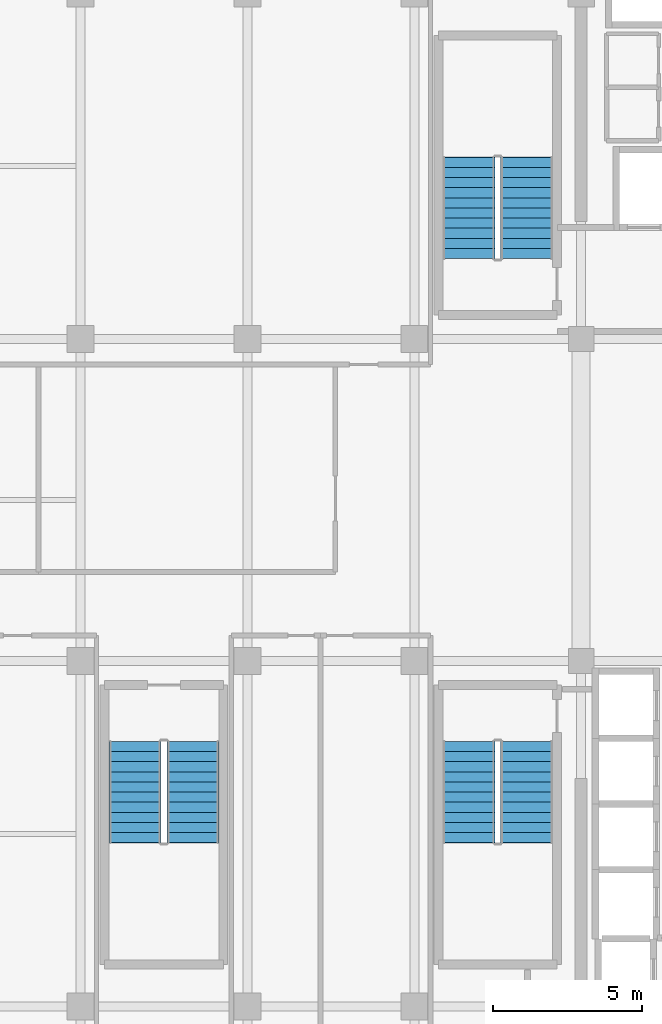
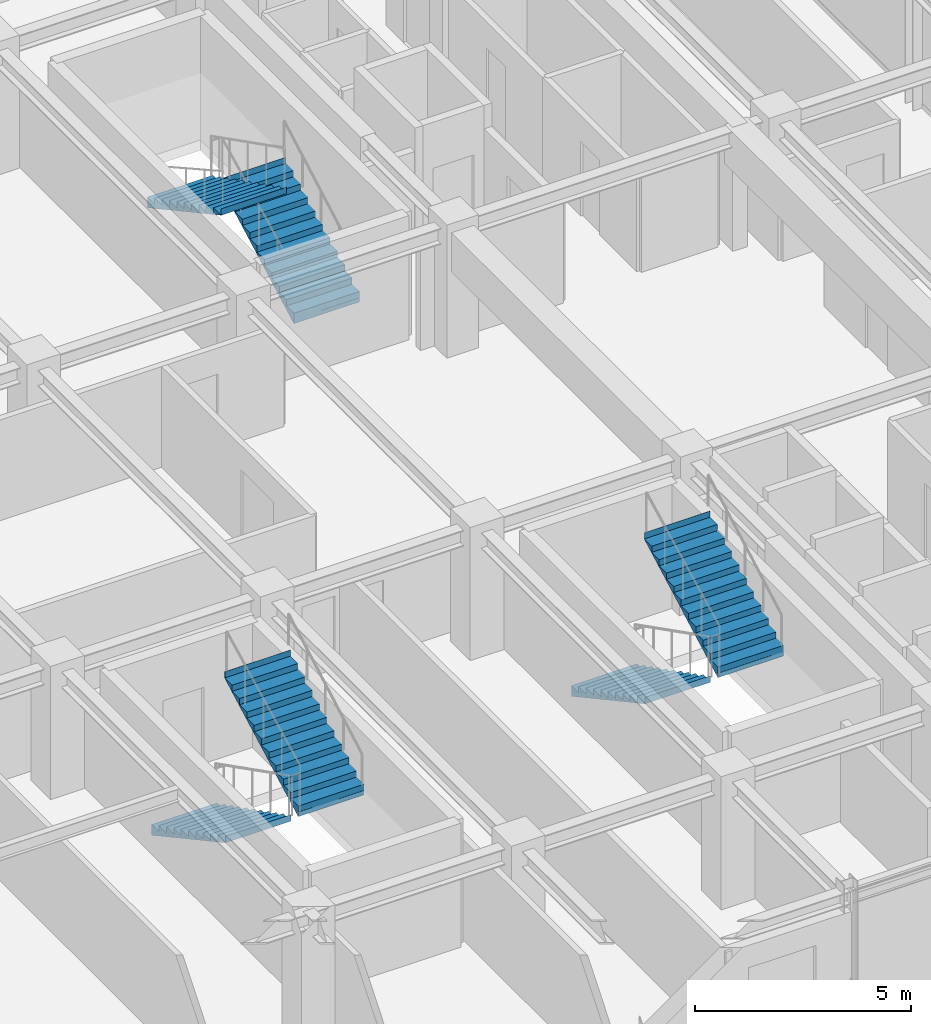
# One storey, part 28 of 31: 6 stair flights, 3 elements without a shape of their own.
"""IFC4 building model written with IfcOpenShell, lengths in metres."""

from ifc_helpers import new_model, si_unit, direction, frame, origin, place, context, subcontext, project, spatial, polyline, outline, extrude, source, transform, mapped, material, layer, layer_set, type_object, element, aggregate, save


model = new_model("IFC4")

# Units and contexts
model_context = context("Model", 3, precision=1e-05, world=origin(), true_north=direction((0.0, 1.0)))
body_context = subcontext(model_context, "Body", "Model", "MODEL_VIEW")
ifc_project = project(units=[si_unit("LENGTHUNIT", "METRE"), si_unit("AREAUNIT", "SQUARE_METRE"), si_unit("VOLUMEUNIT", "CUBIC_METRE"), si_unit("PLANEANGLEUNIT", "RADIAN"), si_unit("MASSUNIT", "GRAM", prefix="KILO")], contexts=[model_context])

# Site, building, storey
site_placement = place(None, origin())
site = spatial("IfcSite", under=ifc_project, at=site_placement, CompositionType="ELEMENT")
building_placement = place(site_placement, origin())
building = spatial("IfcBuilding", under=site, at=building_placement, Name="Nahalor Promenade Grand Hotel", CompositionType="ELEMENT")
storey_placement = place(building_placement, frame((0.0, 0.0, 323.35009765625)))
storey = spatial("IfcBuildingStorey", under=building, at=storey_placement, Name="L83", CompositionType="ELEMENT", Elevation=323.35009765625)

# Stair, stair flights
ifc_material = material(Name="Concrete B-50 (C40/50)", Category="concrete")
stair_type_1 = type_object("IfcStairType", Name="Stair-ST1", PredefinedType="HALF_TURN_STAIR", material=ifc_material)
stair_1_placement = place(storey_placement, origin())
stair_1 = element("IfcStair", 1, at=stair_1_placement, inside=storey, type_object=stair_type_1, Name="L83 ST1", PredefinedType="HALF_TURN_STAIR")
ifc_layer_1 = layer(ifc_material, 0.179931640625)
ifc_layer_set_1 = layer_set([ifc_layer_1], Name="Concrete B-50 (C40/50)")
stair_flight_type_1 = type_object("IfcStairFlightType", Name="Flight-ST1", PredefinedType="STRAIGHT", material=ifc_layer_set_1)
shared_shape_1 = source(origin(), body_context, "Body", "SweptSolid", [
    extrude(outline(polyline([(-0.00390625, -0.1201171875), (-0.00390625, 0.0), (0.0, 0.0), (0.0, 0.172607421875), (0.340087890625, 0.172607421875), (0.340087890625, 0.345458984375), (0.679931640625, 0.345458984375), (0.679931640625, 0.51806640625), (1.02001953125, 0.51806640625), (1.02001953125, 0.69091796875), (1.360107421875, 0.69091796875), (1.360107421875, 0.863525390625), (1.699951171875, 0.863525390625), (1.699951171875, 1.036376953125), (2.0400390625, 1.036376953125), (2.0400390625, 1.208984375), (2.3798828125, 1.208984375), (2.3798828125, 1.3818359375), (2.719970703125, 1.3818359375), (2.719970703125, 1.554443359375), (3.06005859375, 1.554443359375), (3.06005859375, 1.727294921875), (3.39990234375, 1.727294921875), (3.39990234375, 1.89990234375), (3.404052734375, 1.89990234375), (3.404052734375, 1.719970703125), (0.02001953125, -0.1201171875), (-0.00390625, -0.1201171875)])), frame((0.0, 0.875, 0.0), z_axis=(0.0, -1.0, 0.0), x_axis=(1.0, 0.0, 0.0)), (0.0, 0.0, 1.0), 1.75),
])
stair_flight_1_placement = place(storey_placement, frame((6.574951171875, 8.10009765625, 0.0), z_axis=(0.0, 0.0, 1.0), x_axis=(0.0, 1.0, 0.0)))
stair_flight_1 = element("IfcStairFlight", 2, at=stair_flight_1_placement, type_object=stair_flight_type_1, Name="ST1 flight 1", NumberOfRisers=11, NumberOfTreads=10, PredefinedType="STRAIGHT", RiserHeight=0.172727273, TreadLength=0.34, context=body_context, shape_type="MappedRepresentation", body=[
    mapped(shared_shape_1, transform((0.0, 0.0, 0.0), scale=1.0)),
])
stair_flight_2_placement = place(storey_placement, frame((4.625, 11.5, 1.89990234375), z_axis=(0.0, 0.0, 1.0), x_axis=(0.0, -1.0, 0.0)))
stair_flight_2 = element("IfcStairFlight", 3, at=stair_flight_2_placement, type_object=stair_flight_type_1, Name="ST1 flight 2", NumberOfRisers=11, NumberOfTreads=10, PredefinedType="STRAIGHT", RiserHeight=0.172727273, TreadLength=0.34, context=body_context, shape_type="MappedRepresentation", body=[
    mapped(shared_shape_1, transform((0.0, 0.0, 0.0), scale=1.0)),
])
aggregate(stair_1, [stair_flight_1, stair_flight_2])

stair_type_2 = type_object("IfcStairType", Name="Stair-ST2", PredefinedType="HALF_TURN_STAIR", material=ifc_material)
stair_2_placement = place(storey_placement, origin())
stair_2 = element("IfcStair", 4, at=stair_2_placement, inside=storey, type_object=stair_type_2, Name="L83 ST2", PredefinedType="HALF_TURN_STAIR")
ifc_layer_2 = layer(ifc_material, 0.18994140625)
ifc_layer_set_2 = layer_set([ifc_layer_2], Name="Concrete B-50 (C40/50)")
stair_flight_type_2 = type_object("IfcStairFlightType", Name="Flight-ST2", PredefinedType="STRAIGHT", material=ifc_layer_set_2)
shared_shape_2 = source(origin(), body_context, "Body", "SweptSolid", [
    extrude(outline(polyline([(-0.00390625, -0.1201171875), (-0.00390625, 0.0), (0.0, 0.0), (0.0, 0.172607421875), (0.340087890625, 0.172607421875), (0.340087890625, 0.345458984375), (0.679931640625, 0.345458984375), (0.679931640625, 0.51806640625), (1.02001953125, 0.51806640625), (1.02001953125, 0.69091796875), (1.360107421875, 0.69091796875), (1.360107421875, 0.863525390625), (1.699951171875, 0.863525390625), (1.699951171875, 1.036376953125), (2.0400390625, 1.036376953125), (2.0400390625, 1.208984375), (2.3798828125, 1.208984375), (2.3798828125, 1.3818359375), (2.719970703125, 1.3818359375), (2.719970703125, 1.554443359375), (3.06005859375, 1.554443359375), (3.06005859375, 1.727294921875), (3.39990234375, 1.727294921875), (3.39990234375, 1.89990234375), (3.404052734375, 1.89990234375), (3.404052734375, 1.719970703125), (0.02001953125, -0.1201171875), (-0.00390625, -0.1201171875)])), frame((0.0, 0.875, 0.0), z_axis=(0.0, -1.0, 0.0), x_axis=(1.0, 0.0, 0.0)), (0.0, 0.0, 1.0), 1.75),
])
stair_flight_3_placement = place(storey_placement, frame((4.625, -8.10009765625, 0.0), z_axis=(0.0, 0.0, 1.0), x_axis=(0.0, -1.0, 0.0)))
stair_flight_3 = element("IfcStairFlight", 5, at=stair_flight_3_placement, type_object=stair_flight_type_2, Name="ST2 flight 1", NumberOfRisers=11, NumberOfTreads=10, PredefinedType="STRAIGHT", RiserHeight=0.172727273, TreadLength=0.34, context=body_context, shape_type="MappedRepresentation", body=[
    mapped(shared_shape_2, transform((0.0, 0.0, 0.0), scale=1.0)),
])
stair_flight_4_placement = place(storey_placement, frame((6.574951171875, -11.5, 1.89990234375), z_axis=(0.0, 0.0, 1.0), x_axis=(0.0, 1.0, 0.0)))
stair_flight_4 = element("IfcStairFlight", 6, at=stair_flight_4_placement, type_object=stair_flight_type_2, Name="ST2 flight 2", NumberOfRisers=11, NumberOfTreads=10, PredefinedType="STRAIGHT", RiserHeight=0.172727273, TreadLength=0.34, context=body_context, shape_type="MappedRepresentation", body=[
    mapped(shared_shape_2, transform((0.0, 0.0, 0.0), scale=1.0)),
])
aggregate(stair_2, [stair_flight_3, stair_flight_4])

stair_type_3 = type_object("IfcStairType", Name="Stair-ST3", PredefinedType="HALF_TURN_STAIR", material=ifc_material)
stair_3_placement = place(storey_placement, origin())
stair_3 = element("IfcStair", 7, at=stair_3_placement, inside=storey, type_object=stair_type_3, Name="L83 ST3", PredefinedType="HALF_TURN_STAIR")
ifc_layer_3 = layer(ifc_material, 0.199951171875)
ifc_layer_set_3 = layer_set([ifc_layer_3], Name="Concrete B-50 (C40/50)")
stair_flight_type_3 = type_object("IfcStairFlightType", Name="Flight-ST3", PredefinedType="STRAIGHT", material=ifc_layer_set_3)
shared_shape_3 = source(origin(), body_context, "Body", "SweptSolid", [
    extrude(outline(polyline([(-0.00390625, -0.1201171875), (-0.00390625, 0.0), (0.0, 0.0), (0.0, 0.172607421875), (0.340087890625, 0.172607421875), (0.340087890625, 0.345458984375), (0.679931640625, 0.345458984375), (0.679931640625, 0.51806640625), (1.02001953125, 0.51806640625), (1.02001953125, 0.69091796875), (1.360107421875, 0.69091796875), (1.360107421875, 0.863525390625), (1.699951171875, 0.863525390625), (1.699951171875, 1.036376953125), (2.0400390625, 1.036376953125), (2.0400390625, 1.208984375), (2.3798828125, 1.208984375), (2.3798828125, 1.3818359375), (2.719970703125, 1.3818359375), (2.719970703125, 1.554443359375), (3.06005859375, 1.554443359375), (3.06005859375, 1.727294921875), (3.39990234375, 1.727294921875), (3.39990234375, 1.89990234375), (3.404052734375, 1.89990234375), (3.404052734375, 1.719970703125), (0.02001953125, -0.1201171875), (-0.00390625, -0.1201171875)])), frame((0.0, 0.875, 0.0), z_axis=(0.0, -1.0, 0.0), x_axis=(1.0, 0.0, 0.0)), (0.0, 0.0, 1.0), 1.75),
])
stair_flight_5_placement = place(storey_placement, frame((-6.574951171875, -8.10009765625, 0.0), z_axis=(0.0, 0.0, 1.0), x_axis=(0.0, -1.0, 0.0)))
stair_flight_5 = element("IfcStairFlight", 8, at=stair_flight_5_placement, type_object=stair_flight_type_3, Name="ST3 flight 1", NumberOfRisers=11, NumberOfTreads=10, PredefinedType="STRAIGHT", RiserHeight=0.172727273, TreadLength=0.34, context=body_context, shape_type="MappedRepresentation", body=[
    mapped(shared_shape_3, transform((0.0, 0.0, 0.0), scale=1.0)),
])
stair_flight_6_placement = place(storey_placement, frame((-4.625, -11.5, 1.89990234375), z_axis=(0.0, 0.0, 1.0), x_axis=(0.0, 1.0, 0.0)))
stair_flight_6 = element("IfcStairFlight", 9, at=stair_flight_6_placement, type_object=stair_flight_type_3, Name="ST3 flight 2", NumberOfRisers=11, NumberOfTreads=10, PredefinedType="STRAIGHT", RiserHeight=0.172727273, TreadLength=0.34, context=body_context, shape_type="MappedRepresentation", body=[
    mapped(shared_shape_3, transform((0.0, 0.0, 0.0), scale=1.0)),
])
aggregate(stair_3, [stair_flight_5, stair_flight_6])

save(model, "model.ifc")
